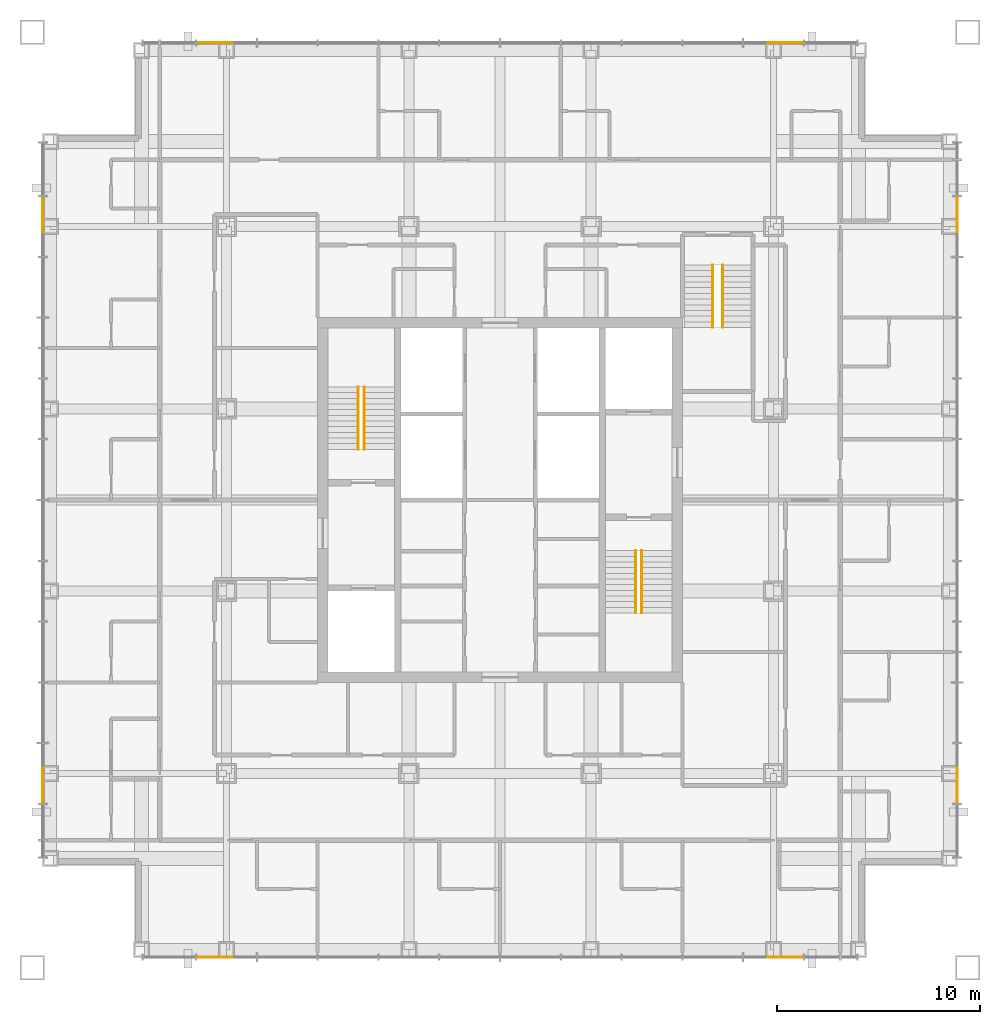
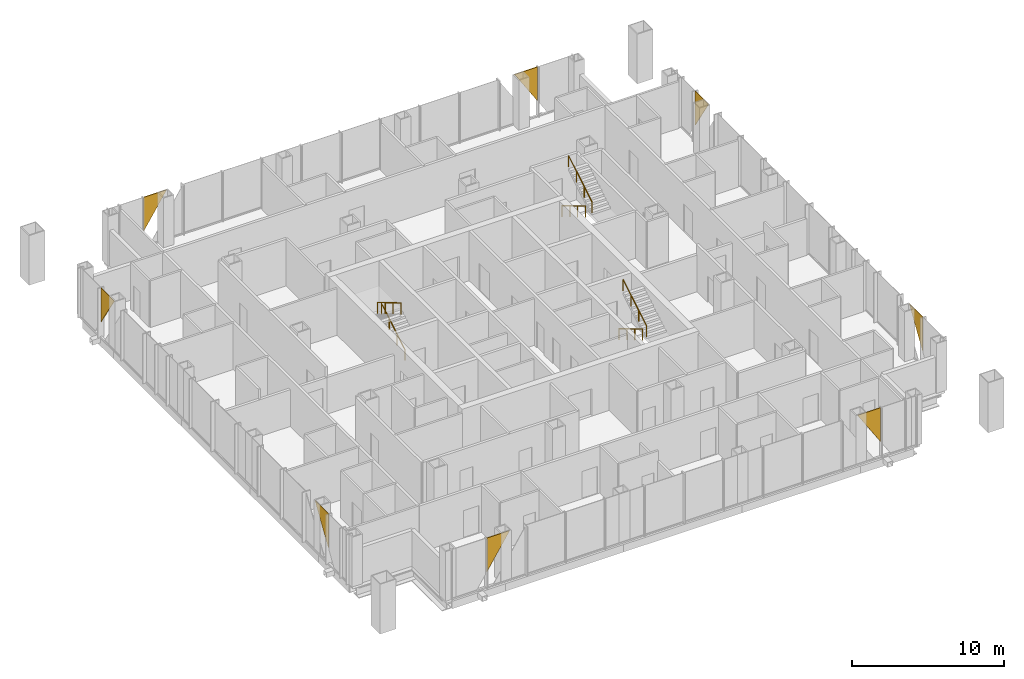
# One storey, part 12 of 12: 8 coverings, 6 railings.
"""IFC4 building model written with IfcOpenShell, lengths in metres."""

import ifcopenshell
import ifcopenshell.guid

model = None  # the IFC model being written
_history = None  # IfcOwnerHistory: only IFC2X3 demands one
_inside = {}  # id of a spatial element -> (the spatial element, [elements in it])
_under = {}  # id of a project, library or spatial element -> (it, [spatial elements below it])
_declared = {}  # id of a project -> (the project, [libraries it declares])
_typed = {}  # id of a type object -> (the type object, [elements of that type])
_made_of = {}  # id of a material, layer set ... -> (it, [elements and type objects made of it])


def new_model(schema):
    """Start an empty IFC model of exactly this schema.

    Asked for "IFC4X3", IfcOpenShell would pick the latest addendum, in which some entities
    have other attributes; the version numbers below select the first issue.
    IFC2X3 requires an IfcOwnerHistory on every rooted entity: one is made here for all.
    """
    global model, _history
    if schema == "IFC4X3":
        model = ifcopenshell.file(schema_version=(4, 3, 0, 0))
    else:
        model = ifcopenshell.file(schema=schema)
    _inside.clear()
    _under.clear()
    _declared.clear()
    _typed.clear()
    _made_of.clear()
    _history = None
    if model.schema == "IFC2X3":
        org = make("IfcOrganization", Name="unknown")
        user = make(
            "IfcPersonAndOrganization",
            ThePerson=make("IfcPerson", FamilyName="unknown"),
            TheOrganization=org,
        )
        app = make(
            "IfcApplication",
            ApplicationDeveloper=org,
            Version="unknown",
            ApplicationFullName="unknown",
            ApplicationIdentifier="unknown",
        )
        _history = make(
            "IfcOwnerHistory",
            OwningUser=user,
            OwningApplication=app,
            ChangeAction="ADDED",
            CreationDate=0,
        )
    return model


def make(cls, **values):
    """One entity of the class cls with the attributes given. An attribute that is None is left unset."""
    return model.create_entity(
        cls, **{name: value for name, value in values.items() if value is not None}
    )


def rooted(cls, **values):
    """An entity with a GlobalId (a new one), such as an element, a storey or a relation."""
    return make(cls, GlobalId=ifcopenshell.guid.new(), OwnerHistory=_history, **values)


def si_unit(unit_type, name, prefix=None):
    """IfcSIUnit, for example si_unit("LENGTHUNIT", "METRE", prefix="MILLI")."""
    return make("IfcSIUnit", UnitType=unit_type, Prefix=prefix, Name=name)


def assignment(units):
    """IfcUnitAssignment: the units of a project."""
    return None if units is None else make("IfcUnitAssignment", Units=units)


def point(xyz):
    """IfcCartesianPoint."""
    return None if xyz is None else make("IfcCartesianPoint", Coordinates=xyz)


def direction(xyz):
    """IfcDirection."""
    return None if xyz is None else make("IfcDirection", DirectionRatios=xyz)


def frame(location, z_axis=None, x_axis=None):
    """IfcAxis2Placement3D, a coordinate frame: its origin and axes. An axis left out is left unset."""
    return make(
        "IfcAxis2Placement3D",
        Location=point(location),
        Axis=direction(z_axis),
        RefDirection=direction(x_axis),
    )


def frame_2d(location, x_axis=None):
    """IfcAxis2Placement2D, a coordinate frame in the plane: its origin and x axis."""
    return make(
        "IfcAxis2Placement2D", Location=point(location), RefDirection=direction(x_axis)
    )


def origin():
    """The frame at (0, 0, 0) with its axes left unset."""
    return frame((0.0, 0.0, 0.0))


def origin_2d():
    """The frame at (0, 0) in the plane with its x axis left unset."""
    return frame_2d((0.0, 0.0))


def place(relative_to, where):
    """IfcLocalPlacement: puts the frame where relative to a parent placement (None: the world)."""
    return make(
        "IfcLocalPlacement", PlacementRelTo=relative_to, RelativePlacement=where
    )


def context(
    kind, dimensions, precision=None, world=None, true_north=None, identifier=None
):
    """IfcGeometricRepresentationContext, for example the 3D "Model" context."""
    return make(
        "IfcGeometricRepresentationContext",
        ContextIdentifier=identifier,
        ContextType=kind,
        CoordinateSpaceDimension=dimensions,
        Precision=precision,
        WorldCoordinateSystem=world,
        TrueNorth=true_north,
    )


def subcontext(parent, identifier, kind, view, scale=None):
    """IfcGeometricRepresentationSubContext, for example "Body" below "Model"."""
    return make(
        "IfcGeometricRepresentationSubContext",
        ContextIdentifier=identifier,
        ContextType=kind,
        ParentContext=parent,
        TargetScale=scale,
        TargetView=view,
    )


def project(units=None, contexts=None):
    """IfcProject with its units and contexts."""
    return rooted(
        "IfcProject",
        Name="project",
        RepresentationContexts=contexts,
        UnitsInContext=assignment(units),
    )


def spatial(cls, under=None, at=None, **own):
    """A site, building, storey or space (cls), placed at a placement, below another one or the project."""
    s = rooted(cls, ObjectPlacement=at, **own)
    if under is not None:
        _under.setdefault(under.id(), (under, []))[1].append(s)
    return s


def polyline(points):
    """IfcPolyline through the points."""
    return make("IfcPolyline", Points=[point(p) for p in points])


def profile(cls, at=None, kind="AREA", **sizes):
    """A parametric profile (cls). Its sizes go by their IFC names, for example OverallWidth=200.0."""
    return make(cls, ProfileType=kind, Position=at, **sizes)


def circle(**sizes):
    """IfcCircleProfileDef."""
    return profile("IfcCircleProfileDef", **sizes)


def outline(outer, holes=None, kind="AREA"):
    """IfcArbitraryClosedProfileDef: a profile drawn as a closed curve; with holes, ...WithVoids."""
    if holes is None:
        return make("IfcArbitraryClosedProfileDef", ProfileType=kind, OuterCurve=outer)
    return make(
        "IfcArbitraryProfileDefWithVoids",
        ProfileType=kind,
        OuterCurve=outer,
        InnerCurves=holes,
    )


def extrude(swept, where, along, depth):
    """IfcExtrudedAreaSolid: the profile swept, set in the frame where, extruded along a direction by depth."""
    return make(
        "IfcExtrudedAreaSolid",
        SweptArea=swept,
        Position=where,
        ExtrudedDirection=direction(along),
        Depth=depth,
    )


def shape(context_of_items, identifier, shape_type, items):
    """IfcShapeRepresentation: the items that make up one representation, for example the "Body"."""
    return make(
        "IfcShapeRepresentation",
        ContextOfItems=context_of_items,
        RepresentationIdentifier=identifier,
        RepresentationType=shape_type,
        Items=items,
    )


def material(Name=None, Category=None):
    """IfcMaterial."""
    return make("IfcMaterial", Name=Name, Category=Category)


def layer(
    of_material, thickness, ventilated=None, Name=None, Category=None, Priority=None
):
    """IfcMaterialLayer: one layer of a wall or slab, of a material (None: an air gap)."""
    return make(
        "IfcMaterialLayer",
        Material=of_material,
        LayerThickness=thickness,
        IsVentilated=ventilated,
        Name=Name,
        Category=Category,
        Priority=Priority,
    )


def layer_set(layers, Name=None):
    """IfcMaterialLayerSet."""
    return make("IfcMaterialLayerSet", MaterialLayers=layers, LayerSetName=Name)


def made_of(thing, what):
    """Note that an element or type object is made of a material, layer set ...; save() writes the relation."""
    if what is not None:
        _made_of.setdefault(what.id(), (what, []))[1].append(thing)
    return thing


def type_object(cls, material=None, **own):
    """A type object (cls), such as IfcWallType, which elements share."""
    return made_of(rooted(cls, **own), material)


def element(
    cls,
    number,
    at=None,
    inside=None,
    cuts=None,
    type_object=None,
    material=None,
    context=None,
    identifier="Body",
    shape_type=None,
    held_by="IfcProductDefinitionShape",
    body=None,
    shapes=None,
    **own,
):
    """One element of the class cls, such as IfcWall. Its Tag is "e" and its number.

    at: its placement. inside: the storey or other place that contains it. cuts: it is an
    opening in that element (IfcRelVoidsElement). A single representation is given by context,
    identifier, shape_type and body (its items); several are given by shapes. held_by: the class
    of the entity that holds the representations. save() writes the other relations.
    """
    e = rooted(cls, Tag="e%d" % number, ObjectPlacement=at, **own)
    if body is not None:
        shapes = [shape(context, identifier, shape_type, body)]
    if shapes is not None:
        e.Representation = make(held_by, Representations=shapes)
    if inside is not None:
        _inside.setdefault(inside.id(), (inside, []))[1].append(e)
    if cuts is not None:
        rooted(
            "IfcRelVoidsElement", RelatingBuildingElement=cuts, RelatedOpeningElement=e
        )
    if type_object is not None:
        _typed.setdefault(type_object.id(), (type_object, []))[1].append(e)
    return made_of(e, material)


def aggregate(whole, parts):
    """IfcRelAggregates: a whole, such as a stair, and the parts it consists of."""
    return rooted("IfcRelAggregates", RelatingObject=whole, RelatedObjects=parts)


def save(model, path):
    """Write the relations noted so far, then the file.

    IfcRelAggregates (storeys below a building ...), IfcRelContainedInSpatialStructure (elements
    in a storey), IfcRelDefinesByType, IfcRelAssociatesMaterial and IfcRelDeclares: one each for
    every whole, place, type object, material and project.
    """
    for whole, parts in _under.values():
        aggregate(whole, parts)
    for where, things in _inside.values():
        rooted(
            "IfcRelContainedInSpatialStructure",
            RelatedElements=things,
            RelatingStructure=where,
        )
    for kind, things in _typed.values():
        rooted("IfcRelDefinesByType", RelatedObjects=things, RelatingType=kind)
    for what, things in _made_of.values():
        rooted("IfcRelAssociatesMaterial", RelatedObjects=things, RelatingMaterial=what)
    for by, libraries in _declared.values():
        rooted("IfcRelDeclares", RelatingContext=by, RelatedDefinitions=libraries)
    model.write(path)


model = new_model("IFC4")

# Units and contexts
model_context = context("Model", 3, precision=1e-05, world=origin(), true_north=direction((0.0, 1.0)))
body_context = subcontext(model_context, "Body", "Model", "MODEL_VIEW")
ifc_project = project(units=[si_unit("LENGTHUNIT", "METRE"), si_unit("AREAUNIT", "SQUARE_METRE"), si_unit("VOLUMEUNIT", "CUBIC_METRE"), si_unit("PLANEANGLEUNIT", "RADIAN"), si_unit("MASSUNIT", "GRAM", prefix="KILO")], contexts=[model_context])

# Site, building, storey
site_placement = place(None, origin())
site = spatial("IfcSite", under=ifc_project, at=site_placement, CompositionType="ELEMENT")
building_placement = place(site_placement, origin())
building = spatial("IfcBuilding", under=site, at=building_placement, Name="Malebo Sky Hospital", CompositionType="ELEMENT")
storey_placement = place(building_placement, frame((0.0, 0.0, 221.0)))
storey = spatial("IfcBuildingStorey", under=building, at=storey_placement, Name="L53", CompositionType="ELEMENT", Elevation=221.0)

# Coverings
ifc_material_1 = material(Name="Anodised aluminium, natural silver insulated infill panel", Category="aluminium")
ifc_layer = layer(ifc_material_1, 0.0400390625)
ifc_layer_set = layer_set([ifc_layer], Name="BRACE INFILL PANEL 40")
covering_type = type_object("IfcCoveringType", Name="BRACE INFILL PANEL 40", PredefinedType="CLADDING", material=ifc_layer_set)
covering_1_placement = place(storey_placement, frame((45.9150390625, 84.574951171875, 1.255126953125), z_axis=(0.0, 0.0, 1.0), x_axis=(1.0, 0.0, 0.0)))
element("IfcCovering", 1, at=covering_1_placement, inside=storey, type_object=covering_type, Name="Brace infill panel 3.1", PredefinedType="CLADDING", context=body_context, shape_type="SweptSolid", body=[
    extrude(outline(polyline([(-0.87744140625, 0.0), (0.87744140625, 2.73486328125), (-0.87744140625, 2.73486328125), (-0.87744140625, 0.0)])), frame((0.0, 0.02001953125, 0.0), z_axis=(0.0, -1.0, 0.0), x_axis=(1.0, 0.0, 0.0)), (0.0, 0.0, 1.0), 0.0400390625),
])
covering_2_placement = place(storey_placement, frame((74.0849609375, 84.574951171875, 1.255126953125), z_axis=(0.0, 0.0, 1.0), x_axis=(1.0, 0.0, 0.0)))
element("IfcCovering", 2, at=covering_2_placement, inside=storey, type_object=covering_type, Name="Brace infill panel 12.1", PredefinedType="CLADDING", context=body_context, shape_type="SweptSolid", body=[
    extrude(outline(polyline([(0.87744140625, 0.0), (0.87744140625, 2.73486328125), (-0.87744140625, 2.73486328125), (0.87744140625, 0.0)])), frame((0.0, 0.02001953125, 0.0), z_axis=(0.0, -1.0, 0.0), x_axis=(1.0, 0.0, 0.0)), (0.0, 0.0, 1.0), 0.0400390625),
])
covering_3_placement = place(storey_placement, frame((37.425048828125, 47.9150390625, 1.255126953125), z_axis=(0.0, 0.0, 1.0), x_axis=(0.0, 1.0, 0.0)))
element("IfcCovering", 3, at=covering_3_placement, inside=storey, type_object=covering_type, Name="Brace infill panel 3.1", PredefinedType="CLADDING", context=body_context, shape_type="SweptSolid", body=[
    extrude(outline(polyline([(-0.87744140625, 0.0), (0.87744140625, 2.73486328125), (-0.87744140625, 2.73486328125), (-0.87744140625, 0.0)])), frame((0.0, 0.02001953125, 0.0), z_axis=(0.0, -1.0, 0.0), x_axis=(1.0, 0.0, 0.0)), (0.0, 0.0, 1.0), 0.0400390625),
])
covering_4_placement = place(storey_placement, frame((37.425048828125, 76.0849609375, 1.255126953125), z_axis=(0.0, 0.0, 1.0), x_axis=(0.0, 1.0, 0.0)))
element("IfcCovering", 4, at=covering_4_placement, inside=storey, type_object=covering_type, Name="Brace infill panel 13.1", PredefinedType="CLADDING", context=body_context, shape_type="SweptSolid", body=[
    extrude(outline(polyline([(0.87744140625, 0.0), (0.87744140625, 2.73486328125), (-0.87744140625, 2.73486328125), (0.87744140625, 0.0)])), frame((0.0, 0.02001953125, 0.0), z_axis=(0.0, -1.0, 0.0), x_axis=(1.0, 0.0, 0.0)), (0.0, 0.0, 1.0), 0.0400390625),
])
covering_5_placement = place(storey_placement, frame((74.0849609375, 39.425048828125, 1.255126953125), z_axis=(0.0, 0.0, 1.0), x_axis=(-1.0, 0.0, 0.0)))
element("IfcCovering", 5, at=covering_5_placement, inside=storey, type_object=covering_type, Name="Brace infill panel 3.1", PredefinedType="CLADDING", context=body_context, shape_type="SweptSolid", body=[
    extrude(outline(polyline([(-0.87744140625, 0.0), (0.87744140625, 2.73486328125), (-0.87744140625, 2.73486328125), (-0.87744140625, 0.0)])), frame((0.0, 0.02001953125, 0.0), z_axis=(0.0, -1.0, 0.0), x_axis=(1.0, 0.0, 0.0)), (0.0, 0.0, 1.0), 0.0400390625),
])
covering_6_placement = place(storey_placement, frame((45.9150390625, 39.425048828125, 1.255126953125), z_axis=(0.0, 0.0, 1.0), x_axis=(-1.0, 0.0, 0.0)))
element("IfcCovering", 6, at=covering_6_placement, inside=storey, type_object=covering_type, Name="Brace infill panel 12.1", PredefinedType="CLADDING", context=body_context, shape_type="SweptSolid", body=[
    extrude(outline(polyline([(0.87744140625, 0.0), (0.87744140625, 2.73486328125), (-0.87744140625, 2.73486328125), (0.87744140625, 0.0)])), frame((0.0, 0.02001953125, 0.0), z_axis=(0.0, -1.0, 0.0), x_axis=(1.0, 0.0, 0.0)), (0.0, 0.0, 1.0), 0.0400390625),
])
covering_7_placement = place(storey_placement, frame((82.574951171875, 76.0849609375, 1.255126953125), z_axis=(0.0, 0.0, 1.0), x_axis=(0.0, -1.0, 0.0)))
element("IfcCovering", 7, at=covering_7_placement, inside=storey, type_object=covering_type, Name="Brace infill panel 3.1", PredefinedType="CLADDING", context=body_context, shape_type="SweptSolid", body=[
    extrude(outline(polyline([(-0.87744140625, 0.0), (0.87744140625, 2.73486328125), (-0.87744140625, 2.73486328125), (-0.87744140625, 0.0)])), frame((0.0, 0.02001953125, 0.0), z_axis=(0.0, -1.0, 0.0), x_axis=(1.0, 0.0, 0.0)), (0.0, 0.0, 1.0), 0.0400390625),
])
covering_8_placement = place(storey_placement, frame((82.574951171875, 47.9150390625, 1.255126953125), z_axis=(0.0, 0.0, 1.0), x_axis=(0.0, -1.0, 0.0)))
element("IfcCovering", 8, at=covering_8_placement, inside=storey, type_object=covering_type, Name="Brace infill panel 13.1", PredefinedType="CLADDING", context=body_context, shape_type="SweptSolid", body=[
    extrude(outline(polyline([(0.87744140625, 0.0), (0.87744140625, 2.73486328125), (-0.87744140625, 2.73486328125), (0.87744140625, 0.0)])), frame((0.0, 0.02001953125, 0.0), z_axis=(0.0, -1.0, 0.0), x_axis=(1.0, 0.0, 0.0)), (0.0, 0.0, 1.0), 0.0400390625),
])

# Railings
ifc_material_2 = material(Name="Stainless steel tube", Category="steel")
railing_type = type_object("IfcRailingType", Name="STAIR HANDRAIL 900", PredefinedType="HANDRAIL", material=ifc_material_2)
railing_1_placement = place(storey_placement, frame((53.300048828125, 64.5, 0.166748046875)))
element("IfcRailing", 9, at=railing_1_placement, inside=storey, type_object=railing_type, Name="Stair handrail S1 flight 1", PredefinedType="HANDRAIL", context=body_context, shape_type="SweptSolid", body=[
    extrude(circle(Radius=0.02392578125, at=origin_2d()), frame((0.0, 0.0, 0.8759765625), z_axis=(0.0, 0.859308565015, 0.511457515432), x_axis=(-1.0, 0.0, 0.0)), (0.0, 0.0, 1.0), 3.58447265625),
    extrude(circle(Radius=0.02099609375, at=origin_2d()), origin(), (0.0, 0.0, 1.0), 0.851806640625),
    extrude(circle(Radius=0.02099609375, at=origin_2d()), frame((0.0, 1.026611328125, 0.611083984375)), (0.0, 0.0, 1.0), 0.851806640625),
    extrude(circle(Radius=0.02099609375, at=origin_2d()), frame((0.0, 2.053466796875, 1.22216796875)), (0.0, 0.0, 1.0), 0.851806640625),
    extrude(circle(Radius=0.02099609375, at=origin_2d()), frame((0.0, 3.080078125, 1.833251953125)), (0.0, 0.0, 1.0), 0.851806640625),
])
for number, where, name in (
    (10, (53.0, 67.580078125, 2.166748046875), "Stair handrail S1 flight 2"),
    (11, (66.699951171875, 59.5, 0.166748046875), "Stair handrail S2 flight 1"),
):
    element("IfcRailing", number, at=place(storey_placement, frame(where)), inside=storey, type_object=railing_type, Name=name, PredefinedType="HANDRAIL", context=body_context, shape_type="SweptSolid", body=[
        extrude(circle(Radius=0.02392578125, at=origin_2d()), frame((0.0, 0.0, 0.8759765625), z_axis=(0.0, -0.859308565015, 0.511457515432), x_axis=(1.0, 0.0, 0.0)), (0.0, 0.0, 1.0), 3.58447265625),
        extrude(circle(Radius=0.02099609375, at=origin_2d()), origin(), (0.0, 0.0, 1.0), 0.851806640625),
        extrude(circle(Radius=0.02099609375, at=origin_2d()), frame((0.0, -1.026611328125, 0.611083984375)), (0.0, 0.0, 1.0), 0.851806640625),
        extrude(circle(Radius=0.02099609375, at=origin_2d()), frame((0.0, -2.053466796875, 1.22216796875)), (0.0, 0.0, 1.0), 0.851806640625),
        extrude(circle(Radius=0.02099609375, at=origin_2d()), frame((0.0, -3.080078125, 1.833251953125)), (0.0, 0.0, 1.0), 0.851806640625),
    ])
railing_2_placement = place(storey_placement, frame((67.0, 56.419921875, 2.166748046875)))
element("IfcRailing", 12, at=railing_2_placement, inside=storey, type_object=railing_type, Name="Stair handrail S2 flight 2", PredefinedType="HANDRAIL", context=body_context, shape_type="SweptSolid", body=[
    extrude(circle(Radius=0.02392578125, at=origin_2d()), frame((0.0, 0.0, 0.8759765625), z_axis=(0.0, 0.859308565015, 0.511457515432), x_axis=(-1.0, 0.0, 0.0)), (0.0, 0.0, 1.0), 3.58447265625),
    extrude(circle(Radius=0.02099609375, at=origin_2d()), origin(), (0.0, 0.0, 1.0), 0.851806640625),
    extrude(circle(Radius=0.02099609375, at=origin_2d()), frame((0.0, 1.026611328125, 0.611083984375)), (0.0, 0.0, 1.0), 0.851806640625),
    extrude(circle(Radius=0.02099609375, at=origin_2d()), frame((0.0, 2.053466796875, 1.22216796875)), (0.0, 0.0, 1.0), 0.851806640625),
    extrude(circle(Radius=0.02099609375, at=origin_2d()), frame((0.0, 3.080078125, 1.833251953125)), (0.0, 0.0, 1.0), 0.851806640625),
])
railing_3_placement = place(storey_placement, frame((70.5, 73.60009765625, 0.166748046875)))
element("IfcRailing", 13, at=railing_3_placement, inside=storey, type_object=railing_type, Name="Stair handrail S3 flight 1", PredefinedType="HANDRAIL", context=body_context, shape_type="SweptSolid", body=[
    extrude(circle(Radius=0.02392578125, at=origin_2d()), frame((0.0, 0.0, 0.8759765625), z_axis=(0.0, -0.859308565015, 0.511457515432), x_axis=(1.0, 0.0, 0.0)), (0.0, 0.0, 1.0), 3.58447265625),
    extrude(circle(Radius=0.02099609375, at=origin_2d()), origin(), (0.0, 0.0, 1.0), 0.851806640625),
    extrude(circle(Radius=0.02099609375, at=origin_2d()), frame((0.0, -1.026611328125, 0.611083984375)), (0.0, 0.0, 1.0), 0.851806640625),
    extrude(circle(Radius=0.02099609375, at=origin_2d()), frame((0.0, -2.053466796875, 1.22216796875)), (0.0, 0.0, 1.0), 0.851806640625),
    extrude(circle(Radius=0.02099609375, at=origin_2d()), frame((0.0, -3.080078125, 1.833251953125)), (0.0, 0.0, 1.0), 0.851806640625),
])
railing_4_placement = place(storey_placement, frame((71.0, 70.52001953125, 2.166748046875)))
element("IfcRailing", 14, at=railing_4_placement, inside=storey, type_object=railing_type, Name="Stair handrail S3 flight 2", PredefinedType="HANDRAIL", context=body_context, shape_type="SweptSolid", body=[
    extrude(circle(Radius=0.02392578125, at=origin_2d()), frame((0.0, 0.0, 0.8759765625), z_axis=(0.0, 0.859308565015, 0.511457515432), x_axis=(-1.0, 0.0, 0.0)), (0.0, 0.0, 1.0), 3.58447265625),
    extrude(circle(Radius=0.02099609375, at=origin_2d()), origin(), (0.0, 0.0, 1.0), 0.851806640625),
    extrude(circle(Radius=0.02099609375, at=origin_2d()), frame((0.0, 1.026611328125, 0.611083984375)), (0.0, 0.0, 1.0), 0.851806640625),
    extrude(circle(Radius=0.02099609375, at=origin_2d()), frame((0.0, 2.053466796875, 1.22216796875)), (0.0, 0.0, 1.0), 0.851806640625),
    extrude(circle(Radius=0.02099609375, at=origin_2d()), frame((0.0, 3.080078125, 1.833251953125)), (0.0, 0.0, 1.0), 0.851806640625),
])

save(model, "model.ifc")
